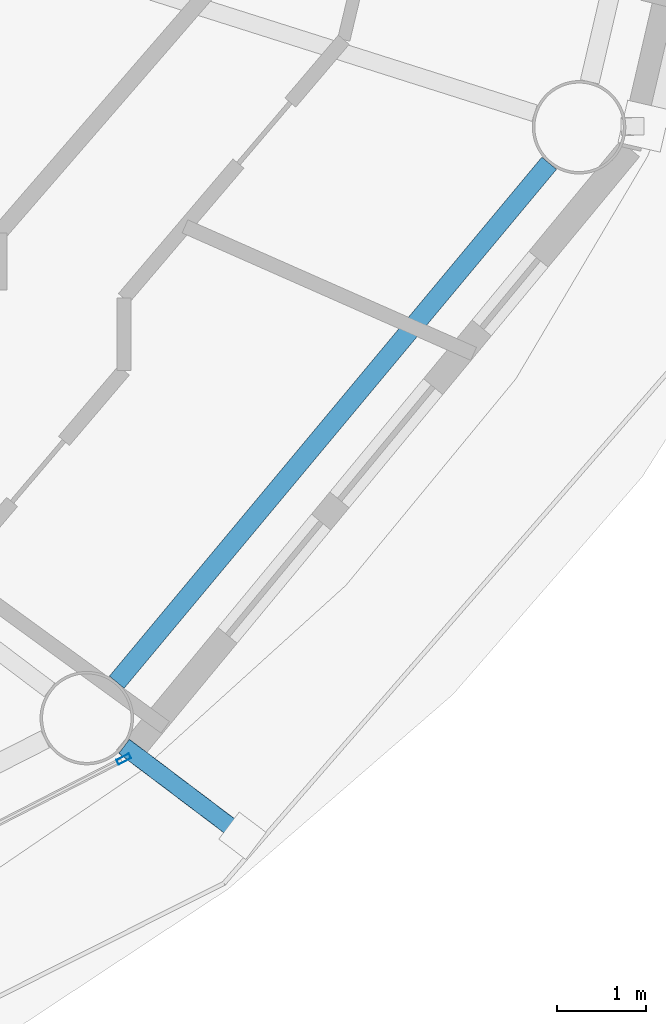
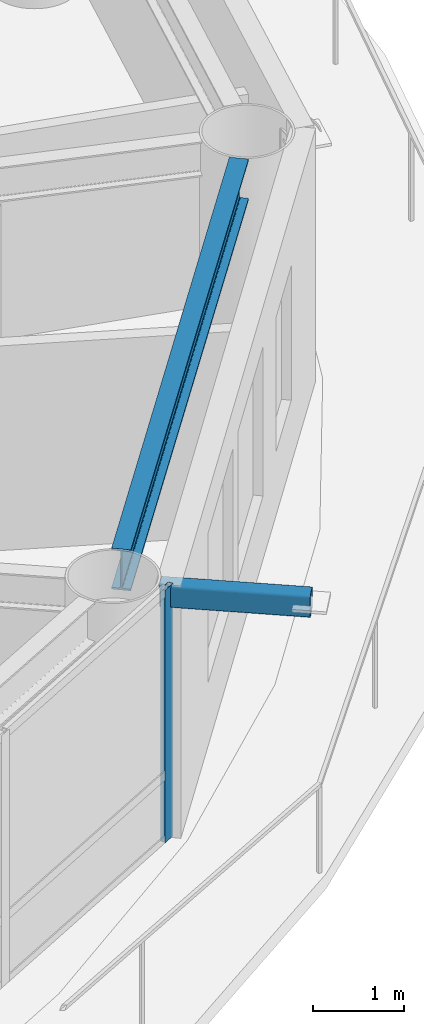
# One storey, part 7 of 28: 2 members, 1 beam, 1 element without a shape of its own.
"""IFC4 building model written with IfcOpenShell, lengths in metres."""

from ifc_helpers import new_model, si_unit, direction, frame, origin, origin_2d, place, context, subcontext, project, spatial, hollow_rectangle, i_section, extrude, material, layer, layer_set, material_profile, profile_set, type_object, element, aggregate, save


model = new_model("IFC4")

# Units and contexts
model_context = context("Model", 3, precision=1e-05, world=origin(), true_north=direction((0.0, 1.0)))
body_context = subcontext(model_context, "Body", "Model", "MODEL_VIEW")
ifc_project = project(units=[si_unit("LENGTHUNIT", "METRE"), si_unit("AREAUNIT", "SQUARE_METRE"), si_unit("VOLUMEUNIT", "CUBIC_METRE"), si_unit("PLANEANGLEUNIT", "RADIAN"), si_unit("MASSUNIT", "GRAM", prefix="KILO")], contexts=[model_context])

# Site, building, storey
site_placement = place(None, origin())
site = spatial("IfcSite", under=ifc_project, at=site_placement, CompositionType="ELEMENT")
building_placement = place(site_placement, origin())
building = spatial("IfcBuilding", under=site, at=building_placement, Name="Sarneth Arch Tower", CompositionType="ELEMENT")
storey_placement = place(building_placement, frame((0.0, 0.0, 172.199951171875)))
storey = spatial("IfcBuildingStorey", under=building, at=storey_placement, Name="L43", CompositionType="ELEMENT", Elevation=172.199951171875)

# Beam
ifc_material_1 = material(Name="Steel S355", Category="steel")
ifc_material_profile_1 = material_profile(ifc_material_1, i_section(OverallWidth=0.214111328125, OverallDepth=0.549072265625, WebThickness=0.0146484375, FlangeThickness=0.023681640625, FilletRadius=0.01806640625, at=origin_2d()), Name="W530x138")
ifc_profile_set_1 = profile_set([ifc_material_profile_1], Name="Steel S355")
beam_type = type_object("IfcBeamType", Name="BM-RAD-530A", PredefinedType="BEAM", material=ifc_profile_set_1)
beam_placement = place(storey_placement, frame((67.469970703125, 27.943115234375, 3.10546875), z_axis=(0.640171737024, 0.768231831621, 0.0), x_axis=(-0.768231831621, 0.640171737024, 0.0)))
element("IfcBeam", 1, at=beam_placement, inside=storey, type_object=beam_type, Name="L43 Perimeter spandrel beam 15", PredefinedType="BEAM", context=body_context, shape_type="SweptSolid", body=[
    extrude(i_section(OverallWidth=0.214111328125, OverallDepth=0.549072265625, WebThickness=0.0146484375, FlangeThickness=0.023681640625, FilletRadius=0.01806640625, at=origin_2d()), origin(), (0.0, 0.0, 1.0), 7.585693359375),
])

# Curtain wall, member
ifc_material_2 = material(Name="Anodised aluminium Type AA25 and solar-control low-e laminated IGU", Category="aluminium")
ifc_layer = layer(ifc_material_2, 0.169921875)
ifc_layer_set = layer_set([ifc_layer], Name="Anodised aluminium Type AA25 and solar-control low-e laminated IGU")
curtain_wall_type = type_object("IfcCurtainWallType", Name="CW-RES-MID", PredefinedType="NOTDEFINED", material=ifc_layer_set)
curtain_wall_placement = place(storey_placement, origin())
curtain_wall = element("IfcCurtainWall", 2, at=curtain_wall_placement, inside=storey, type_object=curtain_wall_type, Name="L43 Unitised curtain wall facet 14", PredefinedType="NOTDEFINED")
ifc_material_3 = material(Name="Anodised Aluminium 6063-T6", Category="aluminium")
ifc_material_profile_2 = material_profile(ifc_material_3, hollow_rectangle(XDim=0.06005859375, YDim=0.159912109375, WallThickness=0.00390625, at=origin_2d()), Name="AL-MULL-160x60x4")
ifc_profile_set_2 = profile_set([ifc_material_profile_2], Name="Anodised Aluminium 6063-T6")
member_type_1 = type_object("IfcMemberType", Name="CW-MULLION", PredefinedType="MULLION", material=ifc_profile_set_2)
member_1_placement = place(storey_placement, frame((67.549560546875, 27.08056640625, 0.0), z_axis=(0.0, 0.0, 1.0), x_axis=(-0.456208470329, 0.88987293003, 0.0)))
member_1 = element("IfcMember", 3, at=member_1_placement, type_object=member_type_1, Name="CW-SYS-5 mullion 4", PredefinedType="MULLION", context=body_context, shape_type="SweptSolid", body=[
    extrude(hollow_rectangle(XDim=0.06005859375, YDim=0.159912109375, WallThickness=0.00390625, at=origin_2d()), origin(), (0.0, 0.0, 1.0), 3.380126953125),
])
aggregate(curtain_wall, [member_1])

# Member
ifc_material_4 = material(Name="Steel S355", Category="steel")
ifc_material_profile_3 = material_profile(ifc_material_4, hollow_rectangle(XDim=0.199951171875, YDim=0.300048828125, WallThickness=0.012451171875, InnerFilletRadius=0.018798828125, OuterFilletRadius=0.03125, at=origin_2d()), Name="RHS300x200x12.5")
ifc_profile_set_3 = profile_set([ifc_material_profile_3], Name="Steel S355")
member_type_2 = type_object("IfcMemberType", Name="MEM-CANT-STRUT", PredefinedType="STRUT", material=ifc_profile_set_3)
member_2_placement = place(storey_placement, frame((67.552734375, 27.22314453125, 3.219970703125), z_axis=(0.797814063681, -0.602903574207, 0.0), x_axis=(0.602903574207, 0.797814063681, 0.0)))
element("IfcMember", 4, at=member_2_placement, inside=storey, type_object=member_type_2, Name="L43 Balcony cantilever bracket 15", PredefinedType="STRUT", context=body_context, shape_type="SweptSolid", body=[
    extrude(hollow_rectangle(XDim=0.199951171875, YDim=0.300048828125, WallThickness=0.012451171875, InnerFilletRadius=0.018798828125, OuterFilletRadius=0.03125, at=origin_2d()), origin(), (0.0, 0.0, 1.0), 1.666015625),
])

save(model, "model.ifc")
